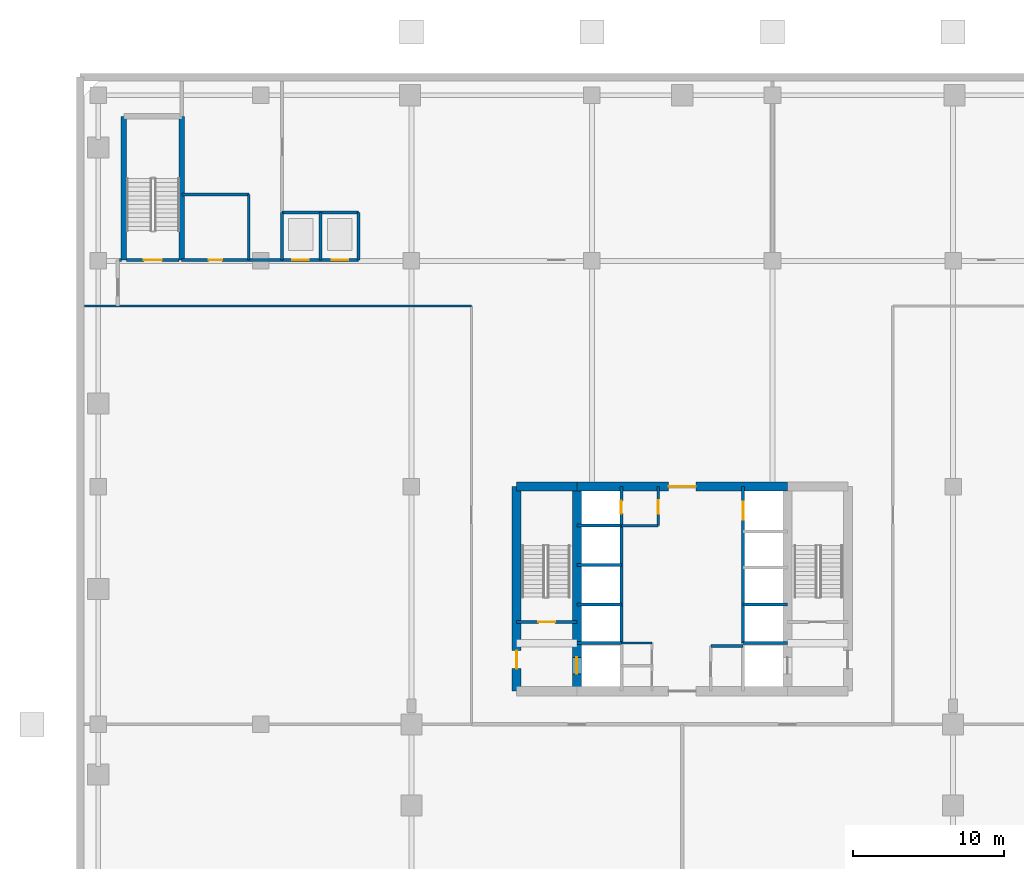
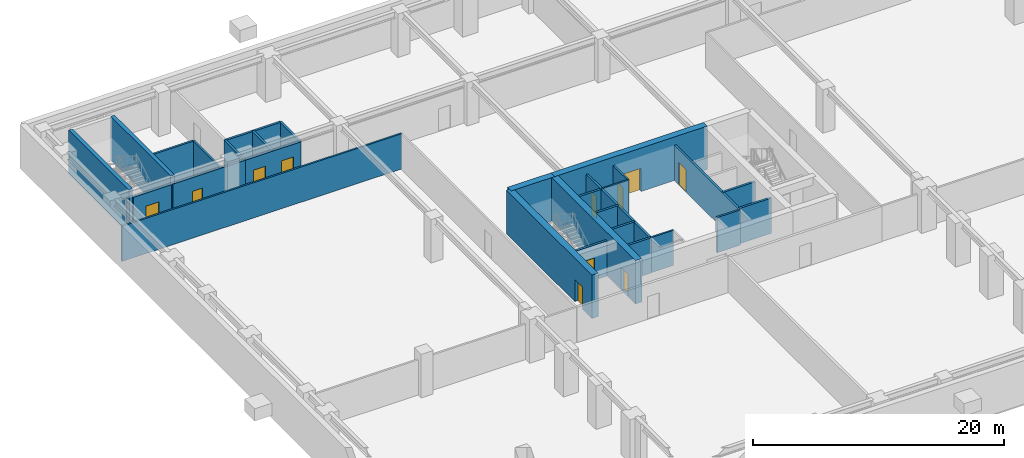
# One storey, part 5 of 11: 31 walls, 11 doors, 11 openings.
"""IFC4 building model written with IfcOpenShell, lengths in metres."""

from ifc_helpers import new_model, si_unit, direction, frame, frame_2d, origin, place, context, subcontext, project, spatial, rectangle, extrude, material, layer, layer_set, type_object, element, fill, save


model = new_model("IFC4")

# Units and contexts
model_context = context("Model", 3, precision=1e-05, world=origin(), true_north=direction((0.0, 1.0)))
body_context = subcontext(model_context, "Body", "Model", "MODEL_VIEW")
ifc_project = project(units=[si_unit("LENGTHUNIT", "METRE"), si_unit("AREAUNIT", "SQUARE_METRE"), si_unit("VOLUMEUNIT", "CUBIC_METRE"), si_unit("PLANEANGLEUNIT", "RADIAN"), si_unit("MASSUNIT", "GRAM", prefix="KILO")], contexts=[model_context])

# Site, building, storey
site_placement = place(None, origin())
site = spatial("IfcSite", under=ifc_project, at=site_placement, CompositionType="ELEMENT")
building_placement = place(site_placement, origin())
building = spatial("IfcBuilding", under=site, at=building_placement, Name="Sarneth Arch Tower", CompositionType="ELEMENT")
storey_placement = place(building_placement, frame((0.0, 0.0, -4.5)))
storey = spatial("IfcBuildingStorey", under=building, at=storey_placement, Name="B01", CompositionType="ELEMENT", Elevation=-4.5)

# Walls
ifc_material_1 = material(Name="Concrete C50/60", Category="concrete")
ifc_layer_1 = layer(ifc_material_1, 0.35009765625)
ifc_layer_set_1 = layer_set([ifc_layer_1], Name="Concrete C50/60")
wall_type_1 = type_object("IfcWallType", Name="WALL-CORE-350", PredefinedType="SHEAR", material=ifc_layer_set_1)
for number, where, z_axis, x_axis, name in (
    (1, (10.89990234375, 63.85009765625, 0.0), (0.0, 0.0, 1.0), (0.0, 1.0, 0.0), "B01 Podium stair core wall STP1-W"),
    (2, (14.75, 63.85009765625, 0.0), (0.0, 0.0, 1.0), (0.0, 1.0, 0.0), "B01 Podium stair core wall STP1-E"),
):
    element("IfcWall", number, at=place(storey_placement, frame(where, z_axis=z_axis, x_axis=x_axis)), inside=storey, type_object=wall_type_1, Name=name, PredefinedType="SHEAR", context=body_context, shape_type="SweptSolid", body=[
        extrude(rectangle(XDim=9.5498046875, YDim=0.35009765625, at=frame_2d((4.77490234375, 0.0))), origin(), (0.0, 0.0, 1.0), 4.219970703125),
    ])
ifc_material_2 = material(Name="Concrete C60/75", Category="concrete")
ifc_layer_2 = layer(ifc_material_2, 0.60009765625)
ifc_layer_set_2 = layer_set([ifc_layer_2], Name="Concrete C60/75")
wall_type_2 = type_object("IfcWallType", Name="WALL-CORE-600", PredefinedType="SHEAR", material=ifc_layer_set_2)
wall_1_placement = place(storey_placement, frame((37.0, 48.800048828125, 0.0), z_axis=(0.0, 0.0, 1.0), x_axis=(1.0, 0.0, 0.0)))
element("IfcWall", 3, at=wall_1_placement, inside=storey, type_object=wall_type_2, Name="B01 Core shear wall N-W", PredefinedType="SHEAR", context=body_context, shape_type="SweptSolid", body=[
    extrude(rectangle(XDim=4.0, YDim=0.60009765625, at=frame_2d((2.0, 0.0))), origin(), (0.0, 0.0, 1.0), 4.219970703125),
])

# Wall, opening, door
wall_2_placement = place(storey_placement, frame((41.0, 48.800048828125, 0.0), z_axis=(0.0, 0.0, 1.0), x_axis=(1.0, 0.0, 0.0)))
wall_2 = element("IfcWall", 4, at=wall_2_placement, inside=storey, type_object=wall_type_2, Name="B01 Core shear wall N-M", PredefinedType="SHEAR", context=body_context, shape_type="SweptSolid", body=[
    extrude(rectangle(XDim=14.0, YDim=0.60009765625, at=frame_2d((7.0, 0.0))), origin(), (0.0, 0.0, 1.0), 4.219970703125),
])
opening_1_placement = place(wall_2_placement, frame((6.10009765625, 0.0, 0.0)))
opening_1 = element("IfcOpeningElement", 5, at=opening_1_placement, cuts=wall_2, Name="Opening FD-01", PredefinedType="OPENING", context=body_context, shape_type="SweptSolid", body=[
    extrude(rectangle(XDim=1.800048828125, YDim=2.25, at=frame_2d((0.89990234375, 1.125))), frame((0.0, 0.31005859375, 0.0), z_axis=(0.0, -1.0, 0.0), x_axis=(1.0, 0.0, 0.0)), (0.0, 0.0, 1.0), 0.6201171875),
])
ifc_material_3 = material(Name="Galvanised Steel S275 fire door set", Category="steel")
door_type_1 = type_object("IfcDoorType", Name="DR-FD90-1800", OperationType="DOUBLE_DOOR_SINGLE_SWING", PredefinedType="DOOR", material=ifc_material_3)
door_1_placement = place(opening_1_placement, origin())
door_1 = element("IfcDoor", 6, at=door_1_placement, inside=storey, type_object=door_type_1, Name="B01 Central lift lobby north door", OperationType="DOUBLE_DOOR_SINGLE_SWING", OverallHeight=2.25, OverallWidth=1.800048828125, PredefinedType="DOOR", context=body_context, shape_type="SweptSolid", body=[
    extrude(rectangle(XDim=1.800048828125, YDim=2.25, at=frame_2d((0.89990234375, 1.125))), frame((0.0, 0.02490234375, 0.0), z_axis=(0.0, -1.0, 0.0), x_axis=(1.0, 0.0, 0.0)), (0.0, 0.0, 1.0), 0.050048828125),
])
fill(opening_1, door_1)

wall_3_placement = place(storey_placement, frame((37.0, 35.199951171875, 0.0), z_axis=(0.0, 0.0, 1.0), x_axis=(0.0, 1.0, 0.0)))
wall_3 = element("IfcWall", 7, at=wall_3_placement, inside=storey, type_object=wall_type_2, Name="B01 Core shear wall W", PredefinedType="SHEAR", context=body_context, shape_type="SweptSolid", body=[
    extrude(rectangle(XDim=13.60009765625, YDim=0.60009765625, at=frame_2d((6.800048828125, 0.0))), origin(), (0.0, 0.0, 1.0), 4.219970703125),
])
opening_2_placement = place(wall_3_placement, frame((1.5, 0.0, 0.0)))
opening_2 = element("IfcOpeningElement", 8, at=opening_2_placement, cuts=wall_3, Name="Opening FD-02", PredefinedType="OPENING", context=body_context, shape_type="SweptSolid", body=[
    extrude(rectangle(XDim=1.199951171875, YDim=2.14990234375, at=frame_2d((0.60009765625, 1.074951171875))), frame((0.0, 0.31005859375, 0.0), z_axis=(0.0, -1.0, 0.0), x_axis=(1.0, 0.0, 0.0)), (0.0, 0.0, 1.0), 0.6201171875),
])
ifc_material_4 = material(Name="Galvanised Steel S275 fire door set", Category="steel")
door_type_2 = type_object("IfcDoorType", Name="DR-FD90-1200", OperationType="SINGLE_SWING_LEFT", PredefinedType="DOOR", material=ifc_material_4)
door_2_placement = place(opening_2_placement, origin())
door_2 = element("IfcDoor", 9, at=door_2_placement, inside=storey, type_object=door_type_2, Name="B01 Firefighting lobby 1 exit door", OperationType="SINGLE_SWING_LEFT", OverallHeight=2.14990234375, OverallWidth=1.199951171875, PredefinedType="DOOR", context=body_context, shape_type="SweptSolid", body=[
    extrude(rectangle(XDim=1.199951171875, YDim=2.14990234375, at=frame_2d((0.60009765625, 1.074951171875))), frame((0.0, 0.02490234375, 0.0), z_axis=(0.0, -1.0, 0.0), x_axis=(1.0, 0.0, 0.0)), (0.0, 0.0, 1.0), 0.050048828125),
])
fill(opening_2, door_2)

wall_4_placement = place(storey_placement, frame((41.0, 35.199951171875, 0.0), z_axis=(0.0, 0.0, 1.0), x_axis=(0.0, 1.0, 0.0)))
wall_4 = element("IfcWall", 10, at=wall_4_placement, inside=storey, type_object=wall_type_2, Name="B01 Core shear wall WEB-W", PredefinedType="SHEAR", context=body_context, shape_type="SweptSolid", body=[
    extrude(rectangle(XDim=13.60009765625, YDim=0.60009765625, at=frame_2d((6.800048828125, 0.0))), origin(), (0.0, 0.0, 1.0), 4.219970703125),
])
opening_3_placement = place(wall_4_placement, frame((1.14990234375, 0.0, 0.0)))
opening_3 = element("IfcOpeningElement", 11, at=opening_3_placement, cuts=wall_4, Name="Opening LD-1", PredefinedType="OPENING", context=body_context, shape_type="SweptSolid", body=[
    extrude(rectangle(XDim=1.10009765625, YDim=2.199951171875, at=frame_2d((0.550048828125, 1.10009765625))), frame((0.0, 0.31005859375, 0.0), z_axis=(0.0, -1.0, 0.0), x_axis=(1.0, 0.0, 0.0)), (0.0, 0.0, 1.0), 0.6201171875),
])
ifc_material_5 = material(Name="Brushed Stainless Steel 304 lift landing door", Category="steel")
door_type_3 = type_object("IfcDoorType", Name="DR-LIFT-SLIDE-1100", OperationType="SLIDING_TO_LEFT", PredefinedType="DOOR", material=ifc_material_5)
door_3_placement = place(opening_3_placement, origin())
door_3 = element("IfcDoor", 12, at=door_3_placement, inside=storey, type_object=door_type_3, Name="B01 Firefighting lift landing door FL-1", OperationType="SLIDING_TO_LEFT", OverallHeight=2.199951171875, OverallWidth=1.10009765625, PredefinedType="DOOR", context=body_context, shape_type="SweptSolid", body=[
    extrude(rectangle(XDim=1.10009765625, YDim=2.199951171875, at=frame_2d((0.550048828125, 1.10009765625))), frame((0.0, 0.02490234375, 0.0), z_axis=(0.0, -1.0, 0.0), x_axis=(1.0, 0.0, 0.0)), (0.0, 0.0, 1.0), 0.050048828125),
])
fill(opening_3, door_3)

ifc_material_6 = material(Name="Double steel-stud corridor fire wall", Category="steel")
ifc_layer_3 = layer(ifc_material_6, 0.18994140625)
ifc_layer_set_3 = layer_set([ifc_layer_3], Name="Double steel-stud corridor fire wall")
wall_type_3 = type_object("IfcWallType", Name="WALL-CORR-190", PredefinedType="PARTITIONING", material=ifc_layer_set_3)
wall_5_placement = place(storey_placement, frame((14.718017578125, 63.85009765625, 0.0), z_axis=(0.0, 0.0, 1.0), x_axis=(1.0, 0.0, 0.0)))
wall_5 = element("IfcWall", 13, at=wall_5_placement, inside=storey, type_object=wall_type_3, Name="B01 Interior partition W-B01-TP-007", PredefinedType="PARTITIONING", context=body_context, shape_type="SweptSolid", body=[
    extrude(rectangle(XDim=6.7138671875, YDim=0.18994140625, at=frame_2d((3.35693359375, 0.0))), origin(), (0.0, 0.0, 1.0), 3.419921875),
])
opening_4_placement = place(wall_5_placement, frame((1.806884765625, 0.0, 0.0)))
opening_4 = element("IfcOpeningElement", 14, at=opening_4_placement, cuts=wall_5, Name="Opening ID-01", PredefinedType="OPENING", context=body_context, shape_type="SweptSolid", body=[
    extrude(rectangle(XDim=0.89990234375, YDim=2.10009765625, at=frame_2d((0.449951171875, 1.050048828125))), frame((0.0, 0.10498046875, 0.0), z_axis=(0.0, -1.0, 0.0), x_axis=(1.0, 0.0, 0.0)), (0.0, 0.0, 1.0), 0.2099609375),
])
ifc_material_7 = material(Name="Engineered hardwood flush door", Category="wood")
door_type_4 = type_object("IfcDoorType", Name="DR-INT-900", OperationType="SINGLE_SWING_LEFT", PredefinedType="DOOR", material=ifc_material_7)
door_4_placement = place(opening_4_placement, origin())
door_4 = element("IfcDoor", 15, at=door_4_placement, inside=storey, type_object=door_type_4, Name="B01 Interior door DR-B01-WC", OperationType="SINGLE_SWING_LEFT", OverallHeight=2.10009765625, OverallWidth=0.89990234375, PredefinedType="DOOR", context=body_context, shape_type="SweptSolid", body=[
    extrude(rectangle(XDim=0.89990234375, YDim=2.10009765625, at=frame_2d((0.449951171875, 1.050048828125))), frame((0.0, 0.02490234375, 0.0), z_axis=(0.0, -1.0, 0.0), x_axis=(1.0, 0.0, 0.0)), (0.0, 0.0, 1.0), 0.050048828125),
])
fill(opening_4, door_4)

# Walls
ifc_material_8 = material(Name="Aerated concrete blockwork C25/30", Category="masonry")
ifc_layer_4 = layer(ifc_material_8, 0.219970703125)
ifc_layer_set_4 = layer_set([ifc_layer_4], Name="Aerated concrete blockwork C25/30")
wall_type_4 = type_object("IfcWallType", Name="WALL-FIRE-220", PredefinedType="SOLIDWALL", material=ifc_layer_set_4)
wall_6_placement = place(storey_placement, frame((10.595947265625, 63.85009765625, 0.0), z_axis=(0.0, 0.0, 1.0), x_axis=(1.0, 0.0, 0.0)))
element("IfcWall", 16, at=wall_6_placement, inside=storey, type_object=wall_type_4, Name="B01 Interior partition W-B01-TP-012", PredefinedType="SOLIDWALL", context=body_context, shape_type="SweptSolid", body=[
    extrude(rectangle(XDim=0.14404296875, YDim=0.219970703125, at=frame_2d((0.072021484375, 0.0))), origin(), (0.0, 0.0, 1.0), 3.419921875),
])
ifc_material_9 = material(Name="Acoustic gypsum stud partition", Category="gypsum")
ifc_layer_5 = layer(ifc_material_9, 0.14990234375)
ifc_layer_set_5 = layer_set([ifc_layer_5], Name="Acoustic gypsum stud partition")
wall_type_5 = type_object("IfcWallType", Name="WALL-PART-150", PredefinedType="PARTITIONING", material=ifc_layer_set_5)
wall_7_placement = place(storey_placement, frame((43.949951171875, 38.39990234375, 0.0), z_axis=(0.0, 0.0, 1.0), x_axis=(1.0, 0.0, 0.0)))
element("IfcWall", 17, at=wall_7_placement, inside=storey, type_object=wall_type_5, Name="B01 Interior partition W-B01-CSUP-N", PredefinedType="PARTITIONING", context=body_context, shape_type="SweptSolid", body=[
    extrude(rectangle(XDim=2.050048828125, YDim=0.14990234375, at=frame_2d((1.02490234375, 0.0))), origin(), (0.0, 0.0, 1.0), 3.419921875),
])
wall_8_placement = place(storey_placement, frame((43.949951171875, 46.199951171875, 0.0), z_axis=(0.0, 0.0, 1.0), x_axis=(1.0, 0.0, 0.0)))
element("IfcWall", 18, at=wall_8_placement, inside=storey, type_object=wall_type_5, Name="B01 Interior partition W-B01-CSUP3-S", PredefinedType="PARTITIONING", context=body_context, shape_type="SweptSolid", body=[
    extrude(rectangle(XDim=2.449951171875, YDim=0.14990234375, at=frame_2d((1.22509765625, 0.0))), origin(), (0.0, 0.0, 1.0), 3.419921875),
])

# Wall, opening, door
wall_9_placement = place(storey_placement, frame((46.39990234375, 46.199951171875, 0.0), z_axis=(0.0, 0.0, 1.0), x_axis=(0.0, 1.0, 0.0)))
wall_9 = element("IfcWall", 19, at=wall_9_placement, inside=storey, type_object=wall_type_5, Name="B01 Interior partition W-B01-CSUP3-E", PredefinedType="PARTITIONING", context=body_context, shape_type="SweptSolid", body=[
    extrude(rectangle(XDim=2.60009765625, YDim=0.14990234375, at=frame_2d((1.300048828125, 0.0))), origin(), (0.0, 0.0, 1.0), 3.419921875),
])
opening_5_placement = place(wall_9_placement, frame((0.800048828125, 0.0, 0.0)))
opening_5 = element("IfcOpeningElement", 20, at=opening_5_placement, cuts=wall_9, Name="Opening FD-10", PredefinedType="OPENING", context=body_context, shape_type="SweptSolid", body=[
    extrude(rectangle(XDim=0.89990234375, YDim=2.14990234375, at=frame_2d((0.449951171875, 1.074951171875))), frame((0.0, 0.0849609375, 0.0), z_axis=(0.0, -1.0, 0.0), x_axis=(1.0, 0.0, 0.0)), (0.0, 0.0, 1.0), 0.169921875),
])
ifc_material_10 = material(Name="Galvanised Steel S275 riser/service fire door", Category="steel")
door_type_5 = type_object("IfcDoorType", Name="DR-FD60-900", OperationType="SINGLE_SWING_LEFT", PredefinedType="DOOR", material=ifc_material_10)
door_5_placement = place(opening_5_placement, origin())
door_5 = element("IfcDoor", 21, at=door_5_placement, inside=storey, type_object=door_type_5, Name="B01 Interior door DR-B01-CSUP3", OperationType="SINGLE_SWING_LEFT", OverallHeight=2.14990234375, OverallWidth=0.89990234375, PredefinedType="DOOR", context=body_context, shape_type="SweptSolid", body=[
    extrude(rectangle(XDim=0.89990234375, YDim=2.14990234375, at=frame_2d((0.449951171875, 1.074951171875))), frame((0.0, 0.02490234375, 0.0), z_axis=(0.0, -1.0, 0.0), x_axis=(1.0, 0.0, 0.0)), (0.0, 0.0, 1.0), 0.050048828125),
])
fill(opening_5, door_5)

# Walls
ifc_material_11 = material(Name="Kitchen wet service chase wall", Category="gypsum")
ifc_layer_6 = layer(ifc_material_11, 0.159912109375)
ifc_layer_set_6 = layer_set([ifc_layer_6], Name="Kitchen wet service chase wall")
wall_type_6 = type_object("IfcWallType", Name="WALL-PLUMB-160", PredefinedType="PLUMBINGWALL", material=ifc_layer_set_6)
wall_10_placement = place(storey_placement, frame((34.0, 60.800048828125, 0.0), z_axis=(0.0, 0.0, 1.0), x_axis=(-1.0, 0.0, 0.0)))
element("IfcWall", 22, at=wall_10_placement, inside=storey, type_object=wall_type_6, Name="B01 Interior partition W-B01-TP-002", PredefinedType="PLUMBINGWALL", context=body_context, shape_type="SweptSolid", body=[
    extrude(rectangle(XDim=25.699951171875, YDim=0.159912109375, at=frame_2d((12.85009765625, 0.0))), origin(), (0.0, 0.0, 1.0), 3.419921875),
])
ifc_material_12 = material(Name="Moisture-resistant plumbing chase wall", Category="gypsum")
ifc_layer_7 = layer(ifc_material_12, 0.179931640625)
ifc_layer_set_7 = layer_set([ifc_layer_7], Name="Moisture-resistant plumbing chase wall")
wall_type_7 = type_object("IfcWallType", Name="WALL-PLUMB-180", PredefinedType="PLUMBINGWALL", material=ifc_layer_set_7)
wall_11_placement = place(storey_placement, frame((49.89990234375, 38.199951171875, 0.0), z_axis=(0.0, 0.0, 1.0), x_axis=(1.0, 0.0, 0.0)))
element("IfcWall", 23, at=wall_11_placement, inside=storey, type_object=wall_type_7, Name="B01 Interior partition W-B01-AWC-N", PredefinedType="PLUMBINGWALL", context=body_context, shape_type="SweptSolid", body=[
    extrude(rectangle(XDim=2.150146484375, YDim=0.179931640625, at=frame_2d((1.0751953125, 0.0))), origin(), (0.0, 0.0, 1.0), 3.419921875),
])
wall_12_placement = place(storey_placement, frame((14.75, 68.199951171875, 0.0), z_axis=(0.0, 0.0, 1.0), x_axis=(1.0, 0.0, 0.0)))
element("IfcWall", 24, at=wall_12_placement, inside=storey, type_object=wall_type_7, Name="B01 Interior partition W-B01-TP-019", PredefinedType="PLUMBINGWALL", context=body_context, shape_type="SweptSolid", body=[
    extrude(rectangle(XDim=4.449951171875, YDim=0.179931640625, at=frame_2d((2.22509765625, 0.0))), origin(), (0.0, 0.0, 1.0), 3.419921875),
])
wall_13_placement = place(storey_placement, frame((19.199951171875, 68.199951171875, 0.0), z_axis=(0.0, 0.0, 1.0), x_axis=(0.0, -1.0, 0.0)))
element("IfcWall", 25, at=wall_13_placement, inside=storey, type_object=wall_type_7, Name="B01 Interior partition W-B01-TP-020", PredefinedType="PLUMBINGWALL", context=body_context, shape_type="SweptSolid", body=[
    extrude(rectangle(XDim=4.349853515625, YDim=0.179931640625, at=frame_2d((2.1748046875, 0.0))), origin(), (0.0, 0.0, 1.0), 3.419921875),
])

# Wall, opening, door
ifc_material_13 = material(Name="Aerated concrete blockwork C25/30", Category="masonry")
ifc_layer_8 = layer(ifc_material_13, 0.199951171875)
ifc_layer_set_8 = layer_set([ifc_layer_8], Name="Aerated concrete blockwork C25/30")
wall_type_8 = type_object("IfcWallType", Name="WALL-SHAFT-200", PredefinedType="SOLIDWALL", material=ifc_layer_set_8)
wall_14_placement = place(storey_placement, frame((37.0, 39.800048828125, 0.0), z_axis=(0.0, 0.0, 1.0), x_axis=(1.0, 0.0, 0.0)))
wall_14 = element("IfcWall", 26, at=wall_14_placement, inside=storey, type_object=wall_type_8, Name="B01 Interior partition W-B01-ST1-S", PredefinedType="SOLIDWALL", context=body_context, shape_type="SweptSolid", body=[
    extrude(rectangle(XDim=4.0, YDim=0.199951171875, at=frame_2d((2.0, 0.0))), origin(), (0.0, 0.0, 1.0), 3.419921875),
])
opening_6_placement = place(wall_14_placement, frame((1.449951171875, 0.0, 0.0)))
opening_6 = element("IfcOpeningElement", 27, at=opening_6_placement, cuts=wall_14, Name="Opening FD-03", PredefinedType="OPENING", context=body_context, shape_type="SweptSolid", body=[
    extrude(rectangle(XDim=1.10009765625, YDim=2.14990234375, at=frame_2d((0.550048828125, 1.074951171875))), frame((0.0, 0.10986328125, 0.0), z_axis=(0.0, -1.0, 0.0), x_axis=(1.0, 0.0, 0.0)), (0.0, 0.0, 1.0), 0.219970703125),
])
ifc_material_14 = material(Name="Galvanised Steel S275 fire door set", Category="steel")
door_type_6 = type_object("IfcDoorType", Name="DR-FD90-1100", OperationType="SINGLE_SWING_LEFT", PredefinedType="DOOR", material=ifc_material_14)
door_6_placement = place(opening_6_placement, origin())
door_6 = element("IfcDoor", 28, at=door_6_placement, inside=storey, type_object=door_type_6, Name="B01 Interior door DR-B01-ST1", OperationType="SINGLE_SWING_LEFT", OverallHeight=2.14990234375, OverallWidth=1.10009765625, PredefinedType="DOOR", context=body_context, shape_type="SweptSolid", body=[
    extrude(rectangle(XDim=1.10009765625, YDim=2.14990234375, at=frame_2d((0.550048828125, 1.074951171875))), frame((0.0, 0.02490234375, 0.0), z_axis=(0.0, -1.0, 0.0), x_axis=(1.0, 0.0, 0.0)), (0.0, 0.0, 1.0), 0.050048828125),
])
fill(opening_6, door_6)

# Walls
for number, where, z_axis, x_axis, name in (
    (29, (41.0, 38.39990234375, 0.0), (0.0, 0.0, 1.0), (1.0, 0.0, 0.0), "B01 Interior partition W-B01-FL1-N"),
    (30, (52.050048828125, 38.39990234375, 0.0), (0.0, 0.0, 1.0), (1.0, 0.0, 0.0), "B01 Interior partition W-B01-FL2-N"),
    (31, (41.0, 46.199951171875, 0.0), (0.0, 0.0, 1.0), (1.0, 0.0, 0.0), "B01 Interior partition W-B01-RISER-S"),
):
    element("IfcWall", number, at=place(storey_placement, frame(where, z_axis=z_axis, x_axis=x_axis)), inside=storey, type_object=wall_type_8, Name=name, PredefinedType="SOLIDWALL", context=body_context, shape_type="SweptSolid", body=[
        extrude(rectangle(XDim=2.949951171875, YDim=0.199951171875, at=frame_2d((1.47509765625, 0.0))), origin(), (0.0, 0.0, 1.0), 3.419921875),
    ])

# Wall, opening, door
wall_15_placement = place(storey_placement, frame((43.949951171875, 46.199951171875, 0.0), z_axis=(0.0, 0.0, 1.0), x_axis=(0.0, 1.0, 0.0)))
wall_15 = element("IfcWall", 32, at=wall_15_placement, inside=storey, type_object=wall_type_8, Name="B01 Interior partition W-B01-RISER-E", PredefinedType="SOLIDWALL", context=body_context, shape_type="SweptSolid", body=[
    extrude(rectangle(XDim=2.60009765625, YDim=0.199951171875, at=frame_2d((1.300048828125, 0.0))), origin(), (0.0, 0.0, 1.0), 3.419921875),
])
opening_7_placement = place(wall_15_placement, frame((0.800048828125, 0.0, 0.0)))
opening_7 = element("IfcOpeningElement", 33, at=opening_7_placement, cuts=wall_15, Name="Opening FD-11", PredefinedType="OPENING", context=body_context, shape_type="SweptSolid", body=[
    extrude(rectangle(XDim=0.85009765625, YDim=2.14990234375, at=frame_2d((0.425048828125, 1.074951171875))), frame((0.0, 0.10986328125, 0.0), z_axis=(0.0, -1.0, 0.0), x_axis=(1.0, 0.0, 0.0)), (0.0, 0.0, 1.0), 0.219970703125),
])
ifc_material_15 = material(Name="Galvanised Steel S275 closet fire door", Category="steel")
door_type_7 = type_object("IfcDoorType", Name="DR-FD60-850", OperationType="SINGLE_SWING_LEFT", PredefinedType="DOOR", material=ifc_material_15)
door_7_placement = place(opening_7_placement, origin())
door_7 = element("IfcDoor", 34, at=door_7_placement, inside=storey, type_object=door_type_7, Name="B01 Lift landing door DR-B01-RISER", OperationType="SINGLE_SWING_LEFT", OverallHeight=2.14990234375, OverallWidth=0.85009765625, PredefinedType="DOOR", context=body_context, shape_type="SweptSolid", body=[
    extrude(rectangle(XDim=0.85009765625, YDim=2.14990234375, at=frame_2d((0.425048828125, 1.074951171875))), frame((0.0, 0.02490234375, 0.0), z_axis=(0.0, -1.0, 0.0), x_axis=(1.0, 0.0, 0.0)), (0.0, 0.0, 1.0), 0.050048828125),
])
fill(opening_7, door_7)

# Walls
wall_16_placement = place(storey_placement, frame((43.949951171875, 38.39990234375, 0.0), z_axis=(0.0, 0.0, 1.0), x_axis=(0.0, 1.0, 0.0)))
element("IfcWall", 35, at=wall_16_placement, inside=storey, type_object=wall_type_8, Name="B01 Interior partition W-B01-WESTBANK-FRONT", PredefinedType="SOLIDWALL", context=body_context, shape_type="SweptSolid", body=[
    extrude(rectangle(XDim=7.800048828125, YDim=0.199951171875, at=frame_2d((3.89990234375, 0.0))), origin(), (0.0, 0.0, 1.0), 3.419921875),
])
for number, where, z_axis, x_axis, name in (
    (36, (41.0, 40.97998046875, 0.0), (0.0, 0.0, 1.0), (1.0, 0.0, 0.0), "B01 Interior partition W-B01-WB-DIV-4098"),
    (37, (41.0, 43.580078125, 0.0), (0.0, 0.0, 1.0), (1.0, 0.0, 0.0), "B01 Interior partition W-B01-WB-DIV-4358"),
):
    element("IfcWall", number, at=place(storey_placement, frame(where, z_axis=z_axis, x_axis=x_axis)), inside=storey, type_object=wall_type_8, Name=name, PredefinedType="SOLIDWALL", context=body_context, shape_type="SweptSolid", body=[
        extrude(rectangle(XDim=2.949951171875, YDim=0.199951171875, at=frame_2d((1.47509765625, 0.0))), origin(), (0.0, 0.0, 1.0), 3.419921875),
    ])

# Wall, opening, door
wall_17_placement = place(storey_placement, frame((52.050048828125, 38.39990234375, 0.0), z_axis=(0.0, 0.0, 1.0), x_axis=(0.0, 1.0, 0.0)))
wall_17 = element("IfcWall", 38, at=wall_17_placement, inside=storey, type_object=wall_type_8, Name="B01 Interior partition W-B01-EASTBANK-FRONT", PredefinedType="SOLIDWALL", context=body_context, shape_type="SweptSolid", body=[
    extrude(rectangle(XDim=10.400146484375, YDim=0.199951171875, at=frame_2d((5.2001953125, 0.0))), origin(), (0.0, 0.0, 1.0), 3.419921875),
])
opening_8_placement = place(wall_17_placement, frame((8.199951171875, 0.0, 0.0)))
opening_8 = element("IfcOpeningElement", 39, at=opening_8_placement, cuts=wall_17, Name="Opening LD-2", PredefinedType="OPENING", context=body_context, shape_type="SweptSolid", body=[
    extrude(rectangle(XDim=1.199951171875, YDim=2.199951171875, at=frame_2d((0.60009765625, 1.10009765625))), frame((0.0, 0.10986328125, 0.0), z_axis=(0.0, -1.0, 0.0), x_axis=(1.0, 0.0, 0.0)), (0.0, 0.0, 1.0), 0.219970703125),
])
ifc_material_16 = material(Name="Brushed Stainless Steel 304 service lift door", Category="steel")
door_type_8 = type_object("IfcDoorType", Name="DR-LIFT-SLIDE-1200", OperationType="SLIDING_TO_RIGHT", PredefinedType="DOOR", material=ifc_material_16)
door_8_placement = place(opening_8_placement, origin())
door_8 = element("IfcDoor", 40, at=door_8_placement, inside=storey, type_object=door_type_8, Name="B01 Lift landing door DR-B01-LD-SL1", OperationType="SLIDING_TO_RIGHT", OverallHeight=2.199951171875, OverallWidth=1.199951171875, PredefinedType="DOOR", context=body_context, shape_type="SweptSolid", body=[
    extrude(rectangle(XDim=1.199951171875, YDim=2.199951171875, at=frame_2d((0.60009765625, 1.10009765625))), frame((0.0, 0.02490234375, 0.0), z_axis=(0.0, -1.0, 0.0), x_axis=(1.0, 0.0, 0.0)), (0.0, 0.0, 1.0), 0.050048828125),
])
fill(opening_8, door_8)

# Wall
wall_18_placement = place(storey_placement, frame((52.050048828125, 40.97998046875, 0.0), z_axis=(0.0, 0.0, 1.0), x_axis=(1.0, 0.0, 0.0)))
element("IfcWall", 41, at=wall_18_placement, inside=storey, type_object=wall_type_8, Name="B01 Interior partition W-B01-EB-DIV-4098", PredefinedType="SOLIDWALL", context=body_context, shape_type="SweptSolid", body=[
    extrude(rectangle(XDim=2.949951171875, YDim=0.199951171875, at=frame_2d((1.47509765625, 0.0))), origin(), (0.0, 0.0, 1.0), 3.419921875),
])

# Wall, opening, door
wall_19_placement = place(storey_placement, frame((11.080078125, 63.85009765625, 0.0), z_axis=(0.0, 0.0, 1.0), x_axis=(1.0, 0.0, 0.0)))
wall_19 = element("IfcWall", 42, at=wall_19_placement, inside=storey, type_object=wall_type_8, Name="B01 Interior partition W-B01-STP1-S", PredefinedType="SOLIDWALL", context=body_context, shape_type="SweptSolid", body=[
    extrude(rectangle(XDim=3.489990234375, YDim=0.199951171875, at=frame_2d((1.7451171875, 0.0))), origin(), (0.0, 0.0, 1.0), 3.419921875),
])
opening_9_placement = place(wall_19_placement, frame((1.14990234375, 0.0, 0.0)))
opening_9 = element("IfcOpeningElement", 43, at=opening_9_placement, cuts=wall_19, Name="Opening FD-02", PredefinedType="OPENING", context=body_context, shape_type="SweptSolid", body=[
    extrude(rectangle(XDim=1.199951171875, YDim=2.14990234375, at=frame_2d((0.60009765625, 1.074951171875))), frame((0.0, 0.10986328125, 0.0), z_axis=(0.0, -1.0, 0.0), x_axis=(1.0, 0.0, 0.0)), (0.0, 0.0, 1.0), 0.219970703125),
])
door_9_placement = place(opening_9_placement, origin())
door_9 = element("IfcDoor", 44, at=door_9_placement, inside=storey, type_object=door_type_2, Name="B01 Interior door DR-B01-STP1", OperationType="SINGLE_SWING_LEFT", OverallHeight=2.14990234375, OverallWidth=1.199951171875, PredefinedType="DOOR", context=body_context, shape_type="SweptSolid", body=[
    extrude(rectangle(XDim=1.199951171875, YDim=2.14990234375, at=frame_2d((0.60009765625, 1.074951171875))), frame((0.0, 0.02490234375, 0.0), z_axis=(0.0, -1.0, 0.0), x_axis=(1.0, 0.0, 0.0)), (0.0, 0.0, 1.0), 0.050048828125),
])
fill(opening_9, door_9)

# Walls
for number, where, z_axis, x_axis, name in (
    (45, (21.39990234375, 63.85009765625, 0.0), (0.0, 0.0, 1.0), (0.0, 1.0, 0.0), "B01 Interior partition W-B01-PP-W"),
    (46, (26.5, 63.85009765625, 0.0), (0.0, 0.0, 1.0), (0.0, 1.0, 0.0), "B01 Interior partition W-B01-PP-E"),
):
    element("IfcWall", number, at=place(storey_placement, frame(where, z_axis=z_axis, x_axis=x_axis)), inside=storey, type_object=wall_type_8, Name=name, PredefinedType="SOLIDWALL", context=body_context, shape_type="SweptSolid", body=[
        extrude(rectangle(XDim=3.14990234375, YDim=0.199951171875, at=frame_2d((1.574951171875, 0.0))), origin(), (0.0, 0.0, 1.0), 3.419921875),
    ])
wall_20_placement = place(storey_placement, frame((21.39990234375, 67.0, 0.0), z_axis=(0.0, 0.0, 1.0), x_axis=(1.0, 0.0, 0.0)))
element("IfcWall", 47, at=wall_20_placement, inside=storey, type_object=wall_type_8, Name="B01 Interior partition W-B01-PP-N", PredefinedType="SOLIDWALL", context=body_context, shape_type="SweptSolid", body=[
    extrude(rectangle(XDim=5.10009765625, YDim=0.199951171875, at=frame_2d((2.550048828125, 0.0))), origin(), (0.0, 0.0, 1.0), 3.419921875),
])
wall_21_placement = place(storey_placement, frame((23.949951171875, 63.85009765625, 0.0), z_axis=(0.0, 0.0, 1.0), x_axis=(0.0, 1.0, 0.0)))
element("IfcWall", 48, at=wall_21_placement, inside=storey, type_object=wall_type_8, Name="B01 Interior partition W-B01-PP-M", PredefinedType="SOLIDWALL", context=body_context, shape_type="SweptSolid", body=[
    extrude(rectangle(XDim=3.14990234375, YDim=0.199951171875, at=frame_2d((1.574951171875, 0.0))), origin(), (0.0, 0.0, 1.0), 3.419921875),
])

# Wall, openings, doors
wall_22_placement = place(storey_placement, frame((21.39990234375, 63.85009765625, 0.0), z_axis=(0.0, 0.0, 1.0), x_axis=(1.0, 0.0, 0.0)))
wall_22 = element("IfcWall", 49, at=wall_22_placement, inside=storey, type_object=wall_type_8, Name="B01 Interior partition W-B01-PP-S", PredefinedType="SOLIDWALL", context=body_context, shape_type="SweptSolid", body=[
    extrude(rectangle(XDim=5.10009765625, YDim=0.199951171875, at=frame_2d((2.550048828125, 0.0))), origin(), (0.0, 0.0, 1.0), 3.419921875),
])
opening_10_placement = place(wall_22_placement, frame((0.699951171875, 0.0, 0.0)))
opening_10 = element("IfcOpeningElement", 50, at=opening_10_placement, cuts=wall_22, Name="Opening LD-1", PredefinedType="OPENING", context=body_context, shape_type="SweptSolid", body=[
    extrude(rectangle(XDim=1.10009765625, YDim=2.199951171875, at=frame_2d((0.550048828125, 1.10009765625))), frame((0.0, 0.10986328125, 0.0), z_axis=(0.0, -1.0, 0.0), x_axis=(1.0, 0.0, 0.0)), (0.0, 0.0, 1.0), 0.219970703125),
])
opening_11_placement = place(wall_22_placement, frame((3.300048828125, 0.0, 0.0)))
opening_11 = element("IfcOpeningElement", 51, at=opening_11_placement, cuts=wall_22, Name="Opening LD-1", PredefinedType="OPENING", context=body_context, shape_type="SweptSolid", body=[
    extrude(rectangle(XDim=1.10009765625, YDim=2.199951171875, at=frame_2d((0.550048828125, 1.10009765625))), frame((0.0, 0.10986328125, 0.0), z_axis=(0.0, -1.0, 0.0), x_axis=(1.0, 0.0, 0.0)), (0.0, 0.0, 1.0), 0.219970703125),
])
door_10_placement = place(opening_10_placement, origin())
door_10 = element("IfcDoor", 52, at=door_10_placement, inside=storey, type_object=door_type_3, Name="B01 Lift landing door DR-B01-LD-PP1", OperationType="SLIDING_TO_LEFT", OverallHeight=2.199951171875, OverallWidth=1.10009765625, PredefinedType="DOOR", context=body_context, shape_type="SweptSolid", body=[
    extrude(rectangle(XDim=1.10009765625, YDim=2.199951171875, at=frame_2d((0.550048828125, 1.10009765625))), frame((0.0, 0.02490234375, 0.0), z_axis=(0.0, -1.0, 0.0), x_axis=(1.0, 0.0, 0.0)), (0.0, 0.0, 1.0), 0.050048828125),
])
fill(opening_10, door_10)
door_11_placement = place(opening_11_placement, origin())
door_11 = element("IfcDoor", 53, at=door_11_placement, inside=storey, type_object=door_type_3, Name="B01 Lift landing door DR-B01-LD-PP2", OperationType="SLIDING_TO_RIGHT", OverallHeight=2.199951171875, OverallWidth=1.10009765625, PredefinedType="DOOR", context=body_context, shape_type="SweptSolid", body=[
    extrude(rectangle(XDim=1.10009765625, YDim=2.199951171875, at=frame_2d((0.550048828125, 1.10009765625))), frame((0.0, 0.02490234375, 0.0), z_axis=(0.0, -1.0, 0.0), x_axis=(1.0, 0.0, 0.0)), (0.0, 0.0, 1.0), 0.050048828125),
])
fill(opening_11, door_11)

save(model, "model.ifc")
